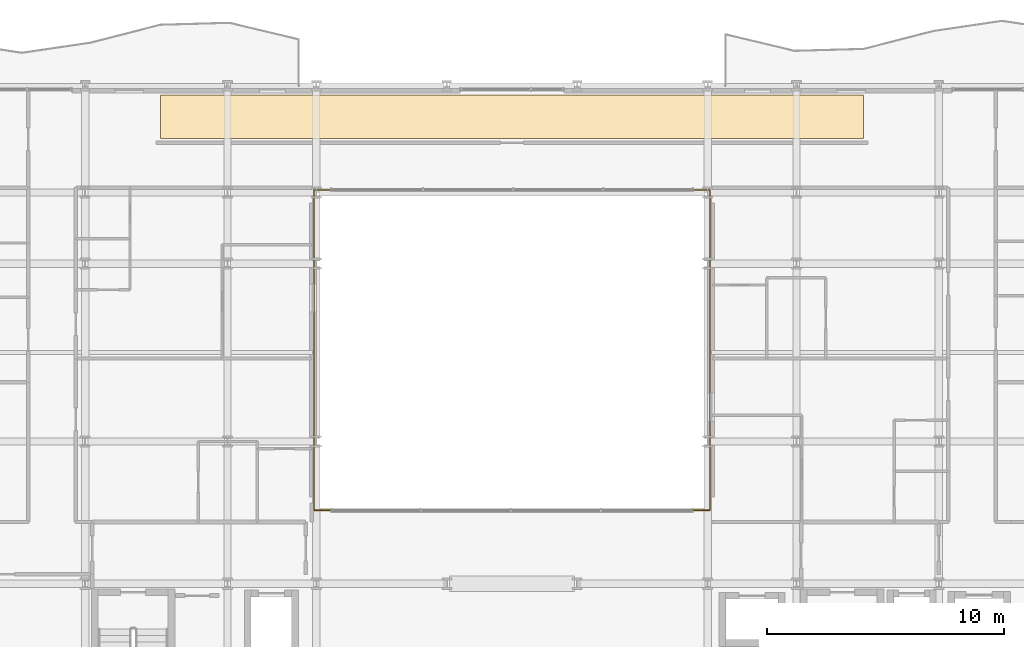
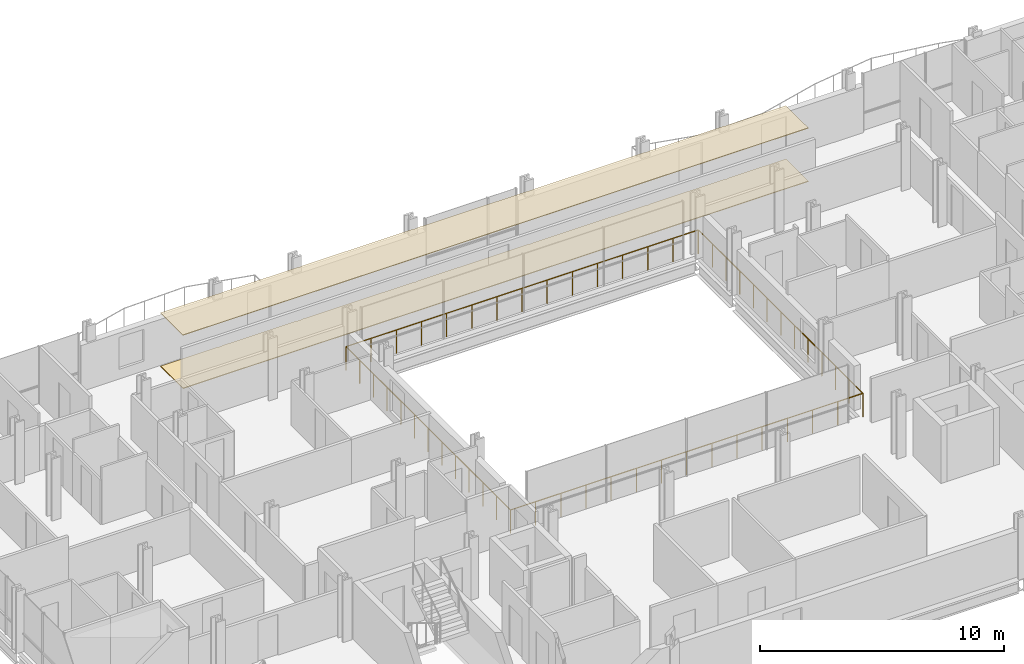
# One storey, part 39 of 41: 2 coverings, 2 railings.
"""IFC4 building model written with IfcOpenShell, lengths in metres."""

from ifc_helpers import new_model, si_unit, direction, frame, origin, origin_2d, place, context, subcontext, project, spatial, polyline, circle, outline, extrude, material, layer, layer_set, type_object, element, save


model = new_model("IFC4")

# Units and contexts
model_context = context("Model", 3, precision=1e-05, world=origin(), true_north=direction((0.0, 1.0)))
body_context = subcontext(model_context, "Body", "Model", "MODEL_VIEW")
ifc_project = project(units=[si_unit("LENGTHUNIT", "METRE"), si_unit("AREAUNIT", "SQUARE_METRE"), si_unit("VOLUMEUNIT", "CUBIC_METRE"), si_unit("PLANEANGLEUNIT", "RADIAN"), si_unit("MASSUNIT", "GRAM", prefix="KILO")], contexts=[model_context])

# Site, building, storey
site_placement = place(None, origin())
site = spatial("IfcSite", under=ifc_project, at=site_placement, CompositionType="ELEMENT")
building_placement = place(site_placement, origin())
building = spatial("IfcBuilding", under=site, at=building_placement, Name="Brevholm Reach", CompositionType="ELEMENT")
storey_placement = place(building_placement, frame((0.0, 0.0, 55.89990234375)))
storey = spatial("IfcBuildingStorey", under=building, at=storey_placement, Name="L15", CompositionType="ELEMENT", Elevation=55.89990234375)

# Coverings
ifc_material_1 = material(Name="Moisture-Resistant Skimmed Gypsum Plasterboard Ceiling", Category="gypsum")
ifc_layer_1 = layer(ifc_material_1, 0.030029296875)
ifc_layer_set_1 = layer_set([ifc_layer_1], Name="Moisture-Resistant Skimmed Gypsum Plasterboard Ceiling")
covering_type_1 = type_object("IfcCoveringType", Name="COV-CLG-GYP", PredefinedType="CEILING", material=ifc_layer_set_1)
covering_1_placement = place(storey_placement, frame((0.0, 0.0, 2.670166015625)))
element("IfcCovering", 1, at=covering_1_placement, inside=storey, type_object=covering_type_1, Name="L15 Suspended Ceiling L15-70", PredefinedType="CEILING", context=body_context, shape_type="SweptSolid", body=[
    extrude(outline(polyline([(15.179931640625, 30.6201171875), (17.876220703125, 30.6201171875), (17.8837890625, 30.6171875), (17.922119140625, 30.607666015625), (17.960693359375, 30.601806640625), (18.0, 30.60009765625), (18.039306640625, 30.601806640625), (18.077880859375, 30.607666015625), (18.1162109375, 30.6171875), (18.123779296875, 30.6201171875), (21.626220703125, 30.6201171875), (21.6337890625, 30.6171875), (21.672119140625, 30.607666015625), (21.710693359375, 30.601806640625), (21.75, 30.60009765625), (21.789306640625, 30.601806640625), (21.827880859375, 30.607666015625), (21.8662109375, 30.6171875), (21.873779296875, 30.6201171875), (27.126220703125, 30.6201171875), (27.1337890625, 30.6171875), (27.172119140625, 30.607666015625), (27.210693359375, 30.601806640625), (27.25, 30.60009765625), (27.289306640625, 30.601806640625), (27.327880859375, 30.607666015625), (27.3662109375, 30.6171875), (27.373779296875, 30.6201171875), (32.626220703125, 30.6201171875), (32.6337890625, 30.6171875), (32.672119140625, 30.607666015625), (32.710693359375, 30.601806640625), (32.75, 30.60009765625), (32.789306640625, 30.601806640625), (32.827880859375, 30.607666015625), (32.8662109375, 30.6171875), (32.873779296875, 30.6201171875), (38.126220703125, 30.6201171875), (38.1337890625, 30.6171875), (38.172119140625, 30.607666015625), (38.210693359375, 30.601806640625), (38.25, 30.60009765625), (38.289306640625, 30.601806640625), (38.327880859375, 30.607666015625), (38.3662109375, 30.6171875), (38.373779296875, 30.6201171875), (41.876220703125, 30.6201171875), (41.8837890625, 30.6171875), (41.922119140625, 30.607666015625), (41.960693359375, 30.601806640625), (42.0, 30.60009765625), (42.039306640625, 30.601806640625), (42.077880859375, 30.607666015625), (42.1162109375, 30.6171875), (42.123779296875, 30.6201171875), (44.820068359375, 30.6201171875), (44.820068359375, 28.783935546875), (15.179931640625, 28.783935546875), (15.179931640625, 30.6201171875)])), origin(), (0.0, 0.0, 1.0), 0.030029296875),
])
ifc_material_2 = material(Name="Honed Portland-Aggregate Resin Terrazzo Flooring", Category="concrete")
ifc_layer_2 = layer(ifc_material_2, 0.031982421875)
ifc_layer_set_2 = layer_set([ifc_layer_2], Name="Honed Portland-Aggregate Resin Terrazzo Flooring")
covering_type_2 = type_object("IfcCoveringType", Name="COV-FLR-TRZ", PredefinedType="FLOORING", material=ifc_layer_set_2)
covering_2_placement = place(storey_placement, origin())
element("IfcCovering", 2, at=covering_2_placement, inside=storey, type_object=covering_type_2, Name="L15 Floor Finish L15-70", PredefinedType="FLOORING", context=body_context, shape_type="SweptSolid", body=[
    extrude(outline(polyline([(15.179931640625, 30.6201171875), (17.876220703125, 30.6201171875), (17.8837890625, 30.6171875), (17.922119140625, 30.607666015625), (17.960693359375, 30.601806640625), (18.0, 30.60009765625), (18.039306640625, 30.601806640625), (18.077880859375, 30.607666015625), (18.1162109375, 30.6171875), (18.123779296875, 30.6201171875), (21.626220703125, 30.6201171875), (21.6337890625, 30.6171875), (21.672119140625, 30.607666015625), (21.710693359375, 30.601806640625), (21.75, 30.60009765625), (21.789306640625, 30.601806640625), (21.827880859375, 30.607666015625), (21.8662109375, 30.6171875), (21.873779296875, 30.6201171875), (27.126220703125, 30.6201171875), (27.1337890625, 30.6171875), (27.172119140625, 30.607666015625), (27.210693359375, 30.601806640625), (27.25, 30.60009765625), (27.289306640625, 30.601806640625), (27.327880859375, 30.607666015625), (27.3662109375, 30.6171875), (27.373779296875, 30.6201171875), (32.626220703125, 30.6201171875), (32.6337890625, 30.6171875), (32.672119140625, 30.607666015625), (32.710693359375, 30.601806640625), (32.75, 30.60009765625), (32.789306640625, 30.601806640625), (32.827880859375, 30.607666015625), (32.8662109375, 30.6171875), (32.873779296875, 30.6201171875), (38.126220703125, 30.6201171875), (38.1337890625, 30.6171875), (38.172119140625, 30.607666015625), (38.210693359375, 30.601806640625), (38.25, 30.60009765625), (38.289306640625, 30.601806640625), (38.327880859375, 30.607666015625), (38.3662109375, 30.6171875), (38.373779296875, 30.6201171875), (41.876220703125, 30.6201171875), (41.8837890625, 30.6171875), (41.922119140625, 30.607666015625), (41.960693359375, 30.601806640625), (42.0, 30.60009765625), (42.039306640625, 30.601806640625), (42.077880859375, 30.607666015625), (42.1162109375, 30.6171875), (42.123779296875, 30.6201171875), (44.820068359375, 30.6201171875), (44.820068359375, 28.783935546875), (15.179931640625, 28.783935546875), (15.179931640625, 30.6201171875)])), origin(), (0.0, 0.0, 1.0), 0.031982421875),
])

# Railings
ifc_material_3 = material(Name="Brushed Stainless Steel EN 1.4401 and Laminated Glass", Category="steel")
railing_type = type_object("IfcRailingType", Name="RAL-TERR-1200", PredefinedType="BALUSTRADE", material=ifc_material_3)
railing_1_placement = place(storey_placement, frame((21.64990234375, 13.10009765625, 0.0)))
element("IfcRailing", 3, at=railing_1_placement, inside=storey, type_object=railing_type, Name="L15 Guard Balustrade RAL-L15-AT-VOID-SW", PredefinedType="BALUSTRADE", context=body_context, shape_type="SweptSolid", body=[
    extrude(circle(Radius=0.02392578125, at=origin_2d()), frame((0.0, 0.0, 1.17578125), z_axis=(1.0, 0.0, 0.0), x_axis=(0.0, 1.0, 0.0)), (0.0, 0.0, 1.0), 16.7001953125),
    extrude(circle(Radius=0.02392578125, at=origin_2d()), frame((16.7001953125, 0.0, 1.17578125), z_axis=(0.0, 1.0, 0.0), x_axis=(-1.0, 0.0, 0.0)), (0.0, 0.0, 1.0), 13.47998046875),
    extrude(circle(Radius=0.02099609375, at=origin_2d()), origin(), (0.0, 0.0, 1.0), 1.15185546875),
    extrude(circle(Radius=0.02099609375, at=origin_2d()), frame((1.19287109375, 0.0, 0.0)), (0.0, 0.0, 1.0), 1.15185546875),
    extrude(circle(Radius=0.02099609375, at=origin_2d()), frame((2.3857421875, 0.0, 0.0)), (0.0, 0.0, 1.0), 1.15185546875),
    extrude(circle(Radius=0.02099609375, at=origin_2d()), frame((3.57861328125, 0.0, 0.0)), (0.0, 0.0, 1.0), 1.15185546875),
    extrude(circle(Radius=0.02099609375, at=origin_2d()), frame((4.771484375, 0.0, 0.0)), (0.0, 0.0, 1.0), 1.15185546875),
    extrude(circle(Radius=0.02099609375, at=origin_2d()), frame((5.96435546875, 0.0, 0.0)), (0.0, 0.0, 1.0), 1.15185546875),
    extrude(circle(Radius=0.02099609375, at=origin_2d()), frame((7.1572265625, 0.0, 0.0)), (0.0, 0.0, 1.0), 1.15185546875),
    extrude(circle(Radius=0.02099609375, at=origin_2d()), frame((8.35009765625, 0.0, 0.0)), (0.0, 0.0, 1.0), 1.15185546875),
    extrude(circle(Radius=0.02099609375, at=origin_2d()), frame((9.54296875, 0.0, 0.0)), (0.0, 0.0, 1.0), 1.15185546875),
    extrude(circle(Radius=0.02099609375, at=origin_2d()), frame((10.73583984375, 0.0, 0.0)), (0.0, 0.0, 1.0), 1.15185546875),
    extrude(circle(Radius=0.02099609375, at=origin_2d()), frame((11.9287109375, 0.0, 0.0)), (0.0, 0.0, 1.0), 1.15185546875),
    extrude(circle(Radius=0.02099609375, at=origin_2d()), frame((13.12158203125, 0.0, 0.0)), (0.0, 0.0, 1.0), 1.15185546875),
    extrude(circle(Radius=0.02099609375, at=origin_2d()), frame((14.314453125, 0.0, 0.0)), (0.0, 0.0, 1.0), 1.15185546875),
    extrude(circle(Radius=0.02099609375, at=origin_2d()), frame((15.50732421875, 0.0, 0.0)), (0.0, 0.0, 1.0), 1.15185546875),
    extrude(circle(Radius=0.02099609375, at=origin_2d()), frame((16.7001953125, 0.0, 0.0)), (0.0, 0.0, 1.0), 1.15185546875),
    extrude(circle(Radius=0.02099609375, at=origin_2d()), frame((16.7001953125, 1.123291015625, 0.0)), (0.0, 0.0, 1.0), 1.15185546875),
    extrude(circle(Radius=0.02099609375, at=origin_2d()), frame((16.7001953125, 2.24658203125, 0.0)), (0.0, 0.0, 1.0), 1.15185546875),
    extrude(circle(Radius=0.02099609375, at=origin_2d()), frame((16.7001953125, 3.3701171875, 0.0)), (0.0, 0.0, 1.0), 1.15185546875),
    extrude(circle(Radius=0.02099609375, at=origin_2d()), frame((16.7001953125, 4.493408203125, 0.0)), (0.0, 0.0, 1.0), 1.15185546875),
    extrude(circle(Radius=0.02099609375, at=origin_2d()), frame((16.7001953125, 5.61669921875, 0.0)), (0.0, 0.0, 1.0), 1.15185546875),
    extrude(circle(Radius=0.02099609375, at=origin_2d()), frame((16.7001953125, 6.739990234375, 0.0)), (0.0, 0.0, 1.0), 1.15185546875),
    extrude(circle(Radius=0.02099609375, at=origin_2d()), frame((16.7001953125, 7.86328125, 0.0)), (0.0, 0.0, 1.0), 1.15185546875),
    extrude(circle(Radius=0.02099609375, at=origin_2d()), frame((16.7001953125, 8.986572265625, 0.0)), (0.0, 0.0, 1.0), 1.15185546875),
    extrude(circle(Radius=0.02099609375, at=origin_2d()), frame((16.7001953125, 10.10986328125, 0.0)), (0.0, 0.0, 1.0), 1.15185546875),
    extrude(circle(Radius=0.02099609375, at=origin_2d()), frame((16.7001953125, 11.2333984375, 0.0)), (0.0, 0.0, 1.0), 1.15185546875),
    extrude(circle(Radius=0.02099609375, at=origin_2d()), frame((16.7001953125, 12.356689453125, 0.0)), (0.0, 0.0, 1.0), 1.15185546875),
    extrude(circle(Radius=0.02099609375, at=origin_2d()), frame((16.7001953125, 13.47998046875, 0.0)), (0.0, 0.0, 1.0), 1.15185546875),
])
railing_2_placement = place(storey_placement, frame((38.330078125, 26.60009765625, 0.0)))
element("IfcRailing", 4, at=railing_2_placement, inside=storey, type_object=railing_type, Name="L15 Guard Balustrade RAL-L15-AT-VOID-NE", PredefinedType="BALUSTRADE", context=body_context, shape_type="SweptSolid", body=[
    extrude(circle(Radius=0.02392578125, at=origin_2d()), frame((0.0, 0.0, 1.17578125), z_axis=(-1.0, 0.0, 0.0), x_axis=(0.0, -1.0, 0.0)), (0.0, 0.0, 1.0), 16.68017578125),
    extrude(circle(Radius=0.02392578125, at=origin_2d()), frame((-16.68017578125, 0.0, 1.17578125), z_axis=(0.0, -1.0, 0.0), x_axis=(1.0, 0.0, 0.0)), (0.0, 0.0, 1.0), 13.47998046875),
    extrude(circle(Radius=0.02099609375, at=origin_2d()), origin(), (0.0, 0.0, 1.0), 1.15185546875),
    extrude(circle(Radius=0.02099609375, at=origin_2d()), frame((-1.19140625, 0.0, 0.0)), (0.0, 0.0, 1.0), 1.15185546875),
    extrude(circle(Radius=0.02099609375, at=origin_2d()), frame((-2.3828125, 0.0, 0.0)), (0.0, 0.0, 1.0), 1.15185546875),
    extrude(circle(Radius=0.02099609375, at=origin_2d()), frame((-3.57421875, 0.0, 0.0)), (0.0, 0.0, 1.0), 1.15185546875),
    extrude(circle(Radius=0.02099609375, at=origin_2d()), frame((-4.765869140625, 0.0, 0.0)), (0.0, 0.0, 1.0), 1.15185546875),
    extrude(circle(Radius=0.02099609375, at=origin_2d()), frame((-5.957275390625, 0.0, 0.0)), (0.0, 0.0, 1.0), 1.15185546875),
    extrude(circle(Radius=0.02099609375, at=origin_2d()), frame((-7.148681640625, 0.0, 0.0)), (0.0, 0.0, 1.0), 1.15185546875),
    extrude(circle(Radius=0.02099609375, at=origin_2d()), frame((-8.340087890625, 0.0, 0.0)), (0.0, 0.0, 1.0), 1.15185546875),
    extrude(circle(Radius=0.02099609375, at=origin_2d()), frame((-9.531494140625, 0.0, 0.0)), (0.0, 0.0, 1.0), 1.15185546875),
    extrude(circle(Radius=0.02099609375, at=origin_2d()), frame((-10.722900390625, 0.0, 0.0)), (0.0, 0.0, 1.0), 1.15185546875),
    extrude(circle(Radius=0.02099609375, at=origin_2d()), frame((-11.914306640625, 0.0, 0.0)), (0.0, 0.0, 1.0), 1.15185546875),
    extrude(circle(Radius=0.02099609375, at=origin_2d()), frame((-13.10595703125, 0.0, 0.0)), (0.0, 0.0, 1.0), 1.15185546875),
    extrude(circle(Radius=0.02099609375, at=origin_2d()), frame((-14.29736328125, 0.0, 0.0)), (0.0, 0.0, 1.0), 1.15185546875),
    extrude(circle(Radius=0.02099609375, at=origin_2d()), frame((-15.48876953125, 0.0, 0.0)), (0.0, 0.0, 1.0), 1.15185546875),
    extrude(circle(Radius=0.02099609375, at=origin_2d()), frame((-16.68017578125, 0.0, 0.0)), (0.0, 0.0, 1.0), 1.15185546875),
    extrude(circle(Radius=0.02099609375, at=origin_2d()), frame((-16.68017578125, -1.123291015625, 0.0)), (0.0, 0.0, 1.0), 1.15185546875),
    extrude(circle(Radius=0.02099609375, at=origin_2d()), frame((-16.68017578125, -2.24658203125, 0.0)), (0.0, 0.0, 1.0), 1.15185546875),
    extrude(circle(Radius=0.02099609375, at=origin_2d()), frame((-16.68017578125, -3.3701171875, 0.0)), (0.0, 0.0, 1.0), 1.15185546875),
    extrude(circle(Radius=0.02099609375, at=origin_2d()), frame((-16.68017578125, -4.493408203125, 0.0)), (0.0, 0.0, 1.0), 1.15185546875),
    extrude(circle(Radius=0.02099609375, at=origin_2d()), frame((-16.68017578125, -5.61669921875, 0.0)), (0.0, 0.0, 1.0), 1.15185546875),
    extrude(circle(Radius=0.02099609375, at=origin_2d()), frame((-16.68017578125, -6.739990234375, 0.0)), (0.0, 0.0, 1.0), 1.15185546875),
    extrude(circle(Radius=0.02099609375, at=origin_2d()), frame((-16.68017578125, -7.86328125, 0.0)), (0.0, 0.0, 1.0), 1.15185546875),
    extrude(circle(Radius=0.02099609375, at=origin_2d()), frame((-16.68017578125, -8.986572265625, 0.0)), (0.0, 0.0, 1.0), 1.15185546875),
    extrude(circle(Radius=0.02099609375, at=origin_2d()), frame((-16.68017578125, -10.10986328125, 0.0)), (0.0, 0.0, 1.0), 1.15185546875),
    extrude(circle(Radius=0.02099609375, at=origin_2d()), frame((-16.68017578125, -11.2333984375, 0.0)), (0.0, 0.0, 1.0), 1.15185546875),
    extrude(circle(Radius=0.02099609375, at=origin_2d()), frame((-16.68017578125, -12.356689453125, 0.0)), (0.0, 0.0, 1.0), 1.15185546875),
    extrude(circle(Radius=0.02099609375, at=origin_2d()), frame((-16.68017578125, -13.47998046875, 0.0)), (0.0, 0.0, 1.0), 1.15185546875),
])

save(model, "model.ifc")
